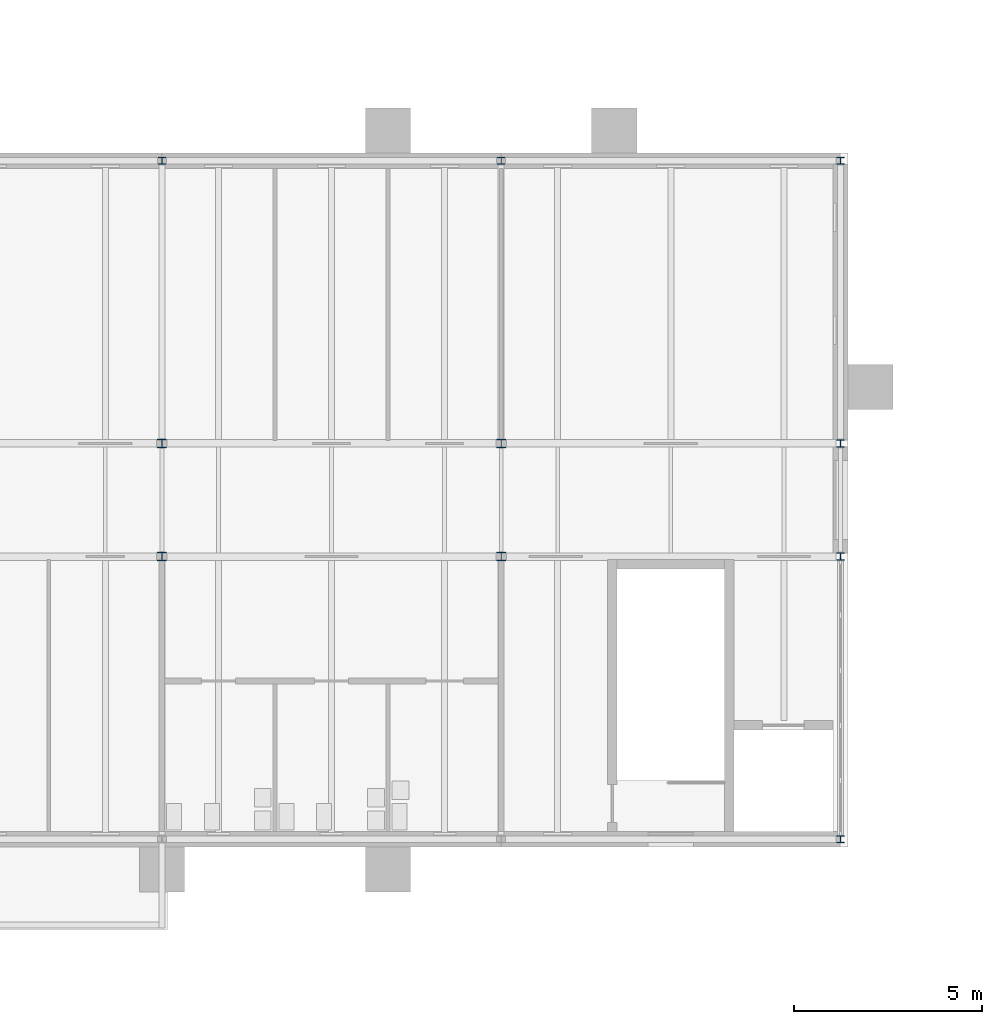
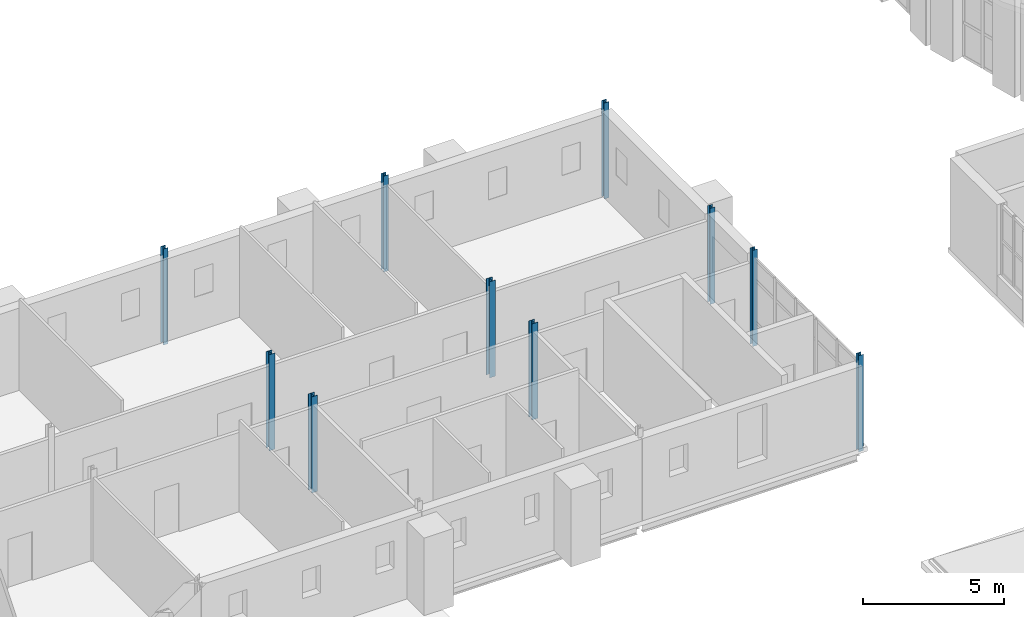
# One storey, part 9 of 121: 10 columns.
"""IFC4 building model written with IfcOpenShell, lengths in metres."""

import ifcopenshell
import ifcopenshell.guid

model = None  # the IFC model being written
_history = None  # IfcOwnerHistory: only IFC2X3 demands one
_inside = {}  # id of a spatial element -> (the spatial element, [elements in it])
_under = {}  # id of a project, library or spatial element -> (it, [spatial elements below it])
_declared = {}  # id of a project -> (the project, [libraries it declares])
_typed = {}  # id of a type object -> (the type object, [elements of that type])
_made_of = {}  # id of a material, layer set ... -> (it, [elements and type objects made of it])


def new_model(schema):
    """Start an empty IFC model of exactly this schema.

    Asked for "IFC4X3", IfcOpenShell would pick the latest addendum, in which some entities
    have other attributes; the version numbers below select the first issue.
    IFC2X3 requires an IfcOwnerHistory on every rooted entity: one is made here for all.
    """
    global model, _history
    if schema == "IFC4X3":
        model = ifcopenshell.file(schema_version=(4, 3, 0, 0))
    else:
        model = ifcopenshell.file(schema=schema)
    _inside.clear()
    _under.clear()
    _declared.clear()
    _typed.clear()
    _made_of.clear()
    _history = None
    if model.schema == "IFC2X3":
        org = make("IfcOrganization", Name="unknown")
        user = make(
            "IfcPersonAndOrganization",
            ThePerson=make("IfcPerson", FamilyName="unknown"),
            TheOrganization=org,
        )
        app = make(
            "IfcApplication",
            ApplicationDeveloper=org,
            Version="unknown",
            ApplicationFullName="unknown",
            ApplicationIdentifier="unknown",
        )
        _history = make(
            "IfcOwnerHistory",
            OwningUser=user,
            OwningApplication=app,
            ChangeAction="ADDED",
            CreationDate=0,
        )
    return model


def make(cls, **values):
    """One entity of the class cls with the attributes given. An attribute that is None is left unset."""
    return model.create_entity(
        cls, **{name: value for name, value in values.items() if value is not None}
    )


def rooted(cls, **values):
    """An entity with a GlobalId (a new one), such as an element, a storey or a relation."""
    return make(cls, GlobalId=ifcopenshell.guid.new(), OwnerHistory=_history, **values)


def si_unit(unit_type, name, prefix=None):
    """IfcSIUnit, for example si_unit("LENGTHUNIT", "METRE", prefix="MILLI")."""
    return make("IfcSIUnit", UnitType=unit_type, Prefix=prefix, Name=name)


def assignment(units):
    """IfcUnitAssignment: the units of a project."""
    return None if units is None else make("IfcUnitAssignment", Units=units)


def point(xyz):
    """IfcCartesianPoint."""
    return None if xyz is None else make("IfcCartesianPoint", Coordinates=xyz)


def direction(xyz):
    """IfcDirection."""
    return None if xyz is None else make("IfcDirection", DirectionRatios=xyz)


def frame(location, z_axis=None, x_axis=None):
    """IfcAxis2Placement3D, a coordinate frame: its origin and axes. An axis left out is left unset."""
    return make(
        "IfcAxis2Placement3D",
        Location=point(location),
        Axis=direction(z_axis),
        RefDirection=direction(x_axis),
    )


def frame_2d(location, x_axis=None):
    """IfcAxis2Placement2D, a coordinate frame in the plane: its origin and x axis."""
    return make(
        "IfcAxis2Placement2D", Location=point(location), RefDirection=direction(x_axis)
    )


def origin():
    """The frame at (0, 0, 0) with its axes left unset."""
    return frame((0.0, 0.0, 0.0))


def origin_2d():
    """The frame at (0, 0) in the plane with its x axis left unset."""
    return frame_2d((0.0, 0.0))


def place(relative_to, where):
    """IfcLocalPlacement: puts the frame where relative to a parent placement (None: the world)."""
    return make(
        "IfcLocalPlacement", PlacementRelTo=relative_to, RelativePlacement=where
    )


def context(
    kind, dimensions, precision=None, world=None, true_north=None, identifier=None
):
    """IfcGeometricRepresentationContext, for example the 3D "Model" context."""
    return make(
        "IfcGeometricRepresentationContext",
        ContextIdentifier=identifier,
        ContextType=kind,
        CoordinateSpaceDimension=dimensions,
        Precision=precision,
        WorldCoordinateSystem=world,
        TrueNorth=true_north,
    )


def subcontext(parent, identifier, kind, view, scale=None):
    """IfcGeometricRepresentationSubContext, for example "Body" below "Model"."""
    return make(
        "IfcGeometricRepresentationSubContext",
        ContextIdentifier=identifier,
        ContextType=kind,
        ParentContext=parent,
        TargetScale=scale,
        TargetView=view,
    )


def project(units=None, contexts=None):
    """IfcProject with its units and contexts."""
    return rooted(
        "IfcProject",
        Name="project",
        RepresentationContexts=contexts,
        UnitsInContext=assignment(units),
    )


def spatial(cls, under=None, at=None, **own):
    """A site, building, storey or space (cls), placed at a placement, below another one or the project."""
    s = rooted(cls, ObjectPlacement=at, **own)
    if under is not None:
        _under.setdefault(under.id(), (under, []))[1].append(s)
    return s


def profile(cls, at=None, kind="AREA", **sizes):
    """A parametric profile (cls). Its sizes go by their IFC names, for example OverallWidth=200.0."""
    return make(cls, ProfileType=kind, Position=at, **sizes)


def i_section(**sizes):
    """IfcIShapeProfileDef."""
    return profile("IfcIShapeProfileDef", **sizes)


def extrude(swept, where, along, depth):
    """IfcExtrudedAreaSolid: the profile swept, set in the frame where, extruded along a direction by depth."""
    return make(
        "IfcExtrudedAreaSolid",
        SweptArea=swept,
        Position=where,
        ExtrudedDirection=direction(along),
        Depth=depth,
    )


def shape(context_of_items, identifier, shape_type, items):
    """IfcShapeRepresentation: the items that make up one representation, for example the "Body"."""
    return make(
        "IfcShapeRepresentation",
        ContextOfItems=context_of_items,
        RepresentationIdentifier=identifier,
        RepresentationType=shape_type,
        Items=items,
    )


def material(Name=None, Category=None):
    """IfcMaterial."""
    return make("IfcMaterial", Name=Name, Category=Category)


def material_profile(
    of_material, cross_section, Name=None, Category=None, Priority=None
):
    """IfcMaterialProfile: a cross section and its material."""
    return make(
        "IfcMaterialProfile",
        Name=Name,
        Material=of_material,
        Profile=cross_section,
        Priority=Priority,
        Category=Category,
    )


def profile_set(profiles, Name=None, composite=None):
    """IfcMaterialProfileSet."""
    return make(
        "IfcMaterialProfileSet",
        Name=Name,
        MaterialProfiles=profiles,
        CompositeProfile=composite,
    )


def made_of(thing, what):
    """Note that an element or type object is made of a material, layer set ...; save() writes the relation."""
    if what is not None:
        _made_of.setdefault(what.id(), (what, []))[1].append(thing)
    return thing


def type_object(cls, material=None, **own):
    """A type object (cls), such as IfcWallType, which elements share."""
    return made_of(rooted(cls, **own), material)


def element(
    cls,
    number,
    at=None,
    inside=None,
    cuts=None,
    type_object=None,
    material=None,
    context=None,
    identifier="Body",
    shape_type=None,
    held_by="IfcProductDefinitionShape",
    body=None,
    shapes=None,
    **own,
):
    """One element of the class cls, such as IfcWall. Its Tag is "e" and its number.

    at: its placement. inside: the storey or other place that contains it. cuts: it is an
    opening in that element (IfcRelVoidsElement). A single representation is given by context,
    identifier, shape_type and body (its items); several are given by shapes. held_by: the class
    of the entity that holds the representations. save() writes the other relations.
    """
    e = rooted(cls, Tag="e%d" % number, ObjectPlacement=at, **own)
    if body is not None:
        shapes = [shape(context, identifier, shape_type, body)]
    if shapes is not None:
        e.Representation = make(held_by, Representations=shapes)
    if inside is not None:
        _inside.setdefault(inside.id(), (inside, []))[1].append(e)
    if cuts is not None:
        rooted(
            "IfcRelVoidsElement", RelatingBuildingElement=cuts, RelatedOpeningElement=e
        )
    if type_object is not None:
        _typed.setdefault(type_object.id(), (type_object, []))[1].append(e)
    return made_of(e, material)


def aggregate(whole, parts):
    """IfcRelAggregates: a whole, such as a stair, and the parts it consists of."""
    return rooted("IfcRelAggregates", RelatingObject=whole, RelatedObjects=parts)


def save(model, path):
    """Write the relations noted so far, then the file.

    IfcRelAggregates (storeys below a building ...), IfcRelContainedInSpatialStructure (elements
    in a storey), IfcRelDefinesByType, IfcRelAssociatesMaterial and IfcRelDeclares: one each for
    every whole, place, type object, material and project.
    """
    for whole, parts in _under.values():
        aggregate(whole, parts)
    for where, things in _inside.values():
        rooted(
            "IfcRelContainedInSpatialStructure",
            RelatedElements=things,
            RelatingStructure=where,
        )
    for kind, things in _typed.values():
        rooted("IfcRelDefinesByType", RelatedObjects=things, RelatingType=kind)
    for what, things in _made_of.values():
        rooted("IfcRelAssociatesMaterial", RelatedObjects=things, RelatingMaterial=what)
    for by, libraries in _declared.values():
        rooted("IfcRelDeclares", RelatingContext=by, RelatedDefinitions=libraries)
    model.write(path)


model = new_model("IFC4")

# Units and contexts
model_context = context("Model", 3, precision=1e-05, world=origin(), true_north=direction((0.0, 1.0)))
body_context = subcontext(model_context, "Body", "Model", "MODEL_VIEW")
ifc_project = project(units=[si_unit("LENGTHUNIT", "METRE"), si_unit("AREAUNIT", "SQUARE_METRE"), si_unit("VOLUMEUNIT", "CUBIC_METRE"), si_unit("PLANEANGLEUNIT", "RADIAN"), si_unit("MASSUNIT", "GRAM", prefix="KILO")], contexts=[model_context])

# Site, building, storey
site_placement = place(None, origin())
site = spatial("IfcSite", under=ifc_project, at=site_placement, CompositionType="ELEMENT")
building_placement = place(site_placement, origin())
building = spatial("IfcBuilding", under=site, at=building_placement, Name="Golden Quay Civic Hall", CompositionType="ELEMENT")
storey_placement = place(building_placement, frame((0.0, 0.0, 18.60009765625)))
storey = spatial("IfcBuildingStorey", under=building, at=storey_placement, Name="L04", CompositionType="ELEMENT", Elevation=18.60009765625)

# Columns
ifc_material_1 = material(Name="Steel S355", Category="steel")
ifc_material_profile_1 = material_profile(ifc_material_1, i_section(OverallWidth=0.199951171875, OverallDepth=0.18994140625, WebThickness=0.006591796875, FlangeThickness=0.010009765625, FilletRadius=0.01806640625, at=origin_2d()), Name="HEA 200")
ifc_profile_set_1 = profile_set([ifc_material_profile_1], Name="Steel S355")
column_type_1 = type_object("IfcColumnType", Name="Steel column HEA 200", PredefinedType="COLUMN", material=ifc_profile_set_1)
for number, where, z_axis, x_axis, name in (
    (1, (36.0, 81.0, -0.2001953125), (0.0, 0.0, 1.0), (1.0, 0.0, 0.0), "Column 36/81 L04"),
    (2, (45.0, 81.0, -0.2001953125), (0.0, 0.0, 1.0), (1.0, 0.0, 0.0), "Column 45/81 L04"),
    (3, (54.0, 63.0, -0.2001953125), (0.0, 0.0, 1.0), (1.0, 0.0, 0.0), "Column 54/63 L04"),
    (4, (54.0, 70.5, -0.2001953125), (0.0, 0.0, 1.0), (1.0, 0.0, 0.0), "Column 54/70.5 L04"),
    (5, (54.0, 73.5, -0.2001953125), (0.0, 0.0, 1.0), (1.0, 0.0, 0.0), "Column 54/73.5 L04"),
    (6, (54.0, 81.0, -0.2001953125), (0.0, 0.0, 1.0), (1.0, 0.0, 0.0), "Column 54/81 L04"),
):
    element("IfcColumn", number, at=place(storey_placement, frame(where, z_axis=z_axis, x_axis=x_axis)), inside=storey, type_object=column_type_1, Name=name, PredefinedType="COLUMN", context=body_context, shape_type="SweptSolid", body=[
        extrude(i_section(OverallWidth=0.199951171875, OverallDepth=0.18994140625, WebThickness=0.006591796875, FlangeThickness=0.010009765625, FilletRadius=0.01806640625, at=origin_2d()), origin(), (0.0, 0.0, 1.0), 4.150146484375),
    ])
ifc_material_2 = material(Name="Steel S355", Category="steel")
ifc_material_profile_2 = material_profile(ifc_material_2, i_section(OverallWidth=0.239990234375, OverallDepth=0.22998046875, WebThickness=0.007568359375, FlangeThickness=0.011962890625, FilletRadius=0.02099609375, at=origin_2d()), Name="HEA 240")
ifc_profile_set_2 = profile_set([ifc_material_profile_2], Name="Steel S355")
column_type_2 = type_object("IfcColumnType", Name="Steel column HEA 240", PredefinedType="COLUMN", material=ifc_profile_set_2)
for number, where, z_axis, x_axis, name in (
    (7, (36.0, 70.5, -0.2001953125), (0.0, 0.0, 1.0), (1.0, 0.0, 0.0), "Column 36/70.5 L04"),
    (8, (36.0, 73.5, -0.2001953125), (0.0, 0.0, 1.0), (1.0, 0.0, 0.0), "Column 36/73.5 L04"),
    (9, (45.0, 70.5, -0.2001953125), (0.0, 0.0, 1.0), (1.0, 0.0, 0.0), "Column 45/70.5 L04"),
    (10, (45.0, 73.5, -0.2001953125), (0.0, 0.0, 1.0), (1.0, 0.0, 0.0), "Column 45/73.5 L04"),
):
    element("IfcColumn", number, at=place(storey_placement, frame(where, z_axis=z_axis, x_axis=x_axis)), inside=storey, type_object=column_type_2, Name=name, PredefinedType="COLUMN", context=body_context, shape_type="SweptSolid", body=[
        extrude(i_section(OverallWidth=0.239990234375, OverallDepth=0.22998046875, WebThickness=0.007568359375, FlangeThickness=0.011962890625, FilletRadius=0.02099609375, at=origin_2d()), origin(), (0.0, 0.0, 1.0), 4.150146484375),
    ])

save(model, "model.ifc")
